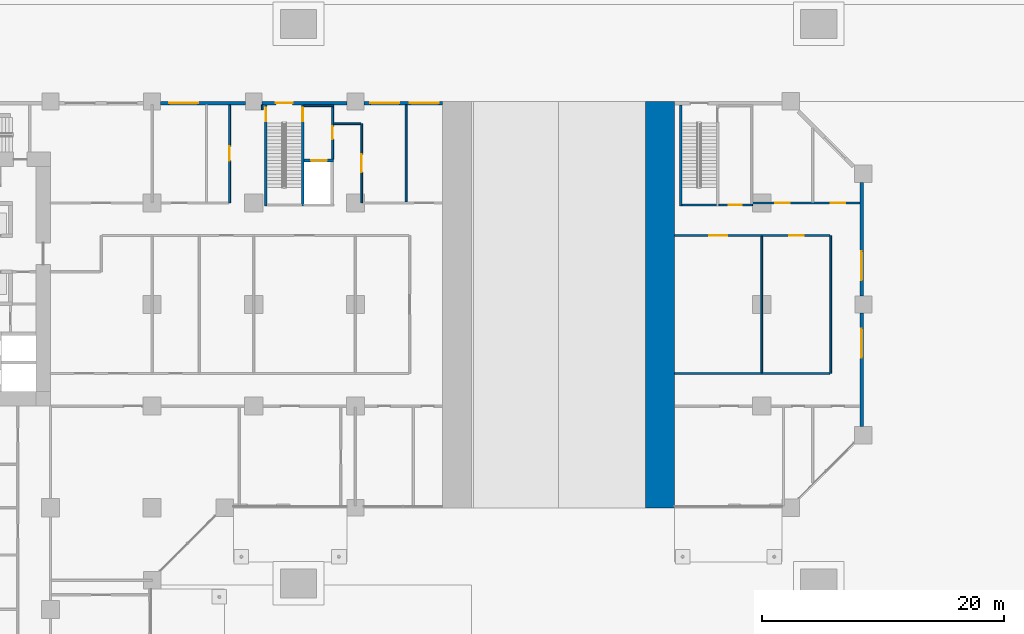
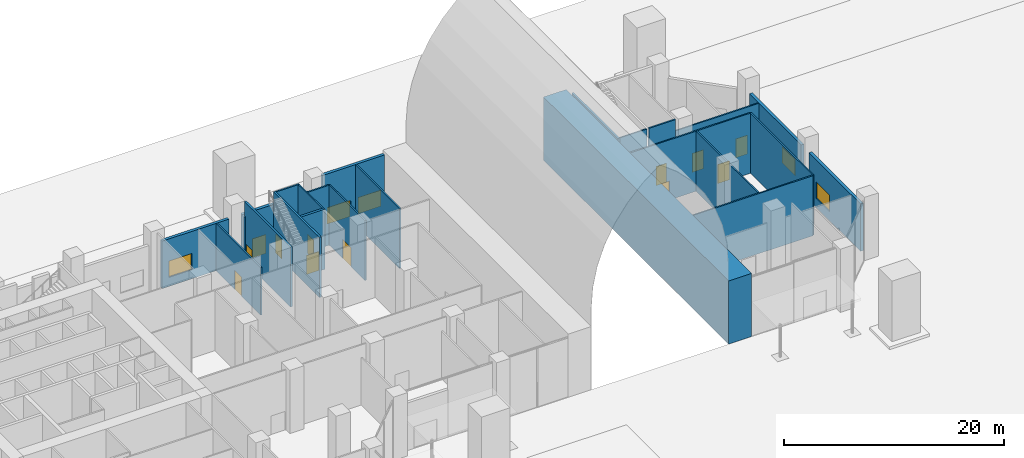
# One storey, part 21 of 32: 24 walls, 12 doors, 5 windows, 17 openings.
"""IFC4 building model written with IfcOpenShell, lengths in metres."""

from ifc_helpers import new_model, si_unit, direction, frame, frame_2d, origin, place, context, subcontext, project, spatial, polyline, rectangle, outline, extrude, material, layer, layer_set, type_object, element, fill, save


model = new_model("IFC4")

# Units and contexts
model_context = context("Model", 3, precision=1e-05, world=origin(), true_north=direction((0.0, 1.0)))
body_context = subcontext(model_context, "Body", "Model", "MODEL_VIEW")
ifc_project = project(units=[si_unit("LENGTHUNIT", "METRE"), si_unit("AREAUNIT", "SQUARE_METRE"), si_unit("VOLUMEUNIT", "CUBIC_METRE"), si_unit("PLANEANGLEUNIT", "RADIAN"), si_unit("MASSUNIT", "GRAM", prefix="KILO")], contexts=[model_context])

# Site, building, storey
site_placement = place(None, origin())
site = spatial("IfcSite", under=ifc_project, at=site_placement, CompositionType="ELEMENT")
building_placement = place(site_placement, origin())
building = spatial("IfcBuilding", under=site, at=building_placement, Name="Kawkab Arch Medical Tower", CompositionType="ELEMENT")
storey_placement = place(building_placement, origin())
storey = spatial("IfcBuildingStorey", under=building, at=storey_placement, Name="L01", CompositionType="ELEMENT", Elevation=0.0)

# Wall
ifc_material_1 = material(Name="Concrete C60/75", Category="concrete")
wall_type_1 = type_object("IfcWallType", Name="Arch wall C60/75", PredefinedType="SHEAR", material=ifc_material_1)
wall_1_placement = place(storey_placement, frame((0.0, 0.0, 0.0), z_axis=(0.0, -1.0, 0.0), x_axis=(1.0, 0.0, 0.0)))
element("IfcWall", 1, at=wall_1_placement, inside=storey, type_object=wall_type_1, Name="Arch wall L01-2", PredefinedType="SHEAR", context=body_context, shape_type="SweptSolid", body=[
    extrude(outline(polyline([(74.39990234375, 0.0), (74.39990234375, 2.25), (74.39990234375, 4.5), (74.39990234375, 6.75), (74.39990234375, 7.0), (76.800048828125, 7.0), (76.800048828125, 0.0), (74.39990234375, 0.0)])), origin(), (0.0, 0.0, 1.0), 33.60009765625),
])

# Wall, opening, door
ifc_material_2 = material(Name="Gypsum board on steel studs", Category="steel")
ifc_layer_1 = layer(ifc_material_2, 0.14990234375)
ifc_layer_set_1 = layer_set([ifc_layer_1], Name="Gypsum board on steel studs")
wall_type_2 = type_object("IfcWallType", Name="Core room partition 150", PredefinedType="PARTITIONING", material=ifc_layer_set_1)
wall_2_placement = place(storey_placement, frame((48.52490234375, -4.77490234375, 0.0), z_axis=(0.0, 0.0, 1.0), x_axis=(0.0, 1.0, 0.0)))
wall_2 = element("IfcWall", 2, at=wall_2_placement, inside=storey, type_object=wall_type_2, Name="L01 core room partition", PredefinedType="PARTITIONING", context=body_context, shape_type="SweptSolid", body=[
    extrude(rectangle(XDim=4.324951171875, YDim=0.14990234375, at=frame_2d((2.16259765625, 0.0))), origin(), (0.0, 0.0, 1.0), 6.64990234375),
])
opening_1_placement = place(wall_2_placement, frame((1.625, 0.0, 0.0)))
opening_1 = element("IfcOpeningElement", 3, at=opening_1_placement, cuts=wall_2, Name="Opening FD", PredefinedType="OPENING", context=body_context, shape_type="SweptSolid", body=[
    extrude(rectangle(XDim=1.10009765625, YDim=2.10009765625, at=frame_2d((0.550048828125, 1.050048828125))), frame((0.0, 0.0849609375, 0.0), z_axis=(0.0, -1.0, 0.0), x_axis=(1.0, 0.0, 0.0)), (0.0, 0.0, 1.0), 0.169921875),
])
ifc_material_3 = material(Name="Hollow metal fire door leaf")
door_type_1 = type_object("IfcDoorType", Name="Firefighting lobby door 1100", OperationType="SINGLE_SWING_LEFT", PredefinedType="DOOR", material=ifc_material_3)
door_1_placement = place(opening_1_placement, origin())
door_1 = element("IfcDoor", 4, at=door_1_placement, inside=storey, type_object=door_type_1, Name="L01 Service lift lobby door SV1", OperationType="SINGLE_SWING_LEFT", OverallHeight=2.10009765625, OverallWidth=1.10009765625, PredefinedType="DOOR", context=body_context, shape_type="SweptSolid", body=[
    extrude(rectangle(XDim=1.10009765625, YDim=2.10009765625, at=frame_2d((0.550048828125, 1.050048828125))), frame((0.0, 0.02490234375, 0.0), z_axis=(0.0, -1.0, 0.0), x_axis=(1.0, 0.0, 0.0)), (0.0, 0.0, 1.0), 0.050048828125),
])
fill(opening_1, door_1)

ifc_material_4 = material(Name="Concrete C60/75", Category="concrete")
ifc_layer_2 = layer(ifc_material_4, 0.25)
ifc_layer_set_2 = layer_set([ifc_layer_2], Name="Concrete C60/75")
wall_type_3 = type_object("IfcWallType", Name="Core shear wall 250 C60/75", PredefinedType="SHEAR", material=ifc_layer_set_2)
wall_3_placement = place(storey_placement, frame((46.14990234375, -4.89990234375, 0.0), z_axis=(0.0, 0.0, 1.0), x_axis=(1.0, 0.0, 0.0)))
wall_3 = element("IfcWall", 5, at=wall_3_placement, inside=storey, type_object=wall_type_3, Name="L01 core shear wall", PredefinedType="SHEAR", context=body_context, shape_type="SweptSolid", body=[
    extrude(rectangle(XDim=2.4501953125, YDim=0.25, at=frame_2d((1.22509765625, 0.0))), origin(), (0.0, 0.0, 1.0), 6.64990234375),
])
opening_2_placement = place(wall_3_placement, frame((0.60009765625, 0.0, 0.0)))
opening_2 = element("IfcOpeningElement", 6, at=opening_2_placement, cuts=wall_3, Name="Opening LD2", PredefinedType="OPENING", context=body_context, shape_type="SweptSolid", body=[
    extrude(rectangle(XDim=1.300048828125, YDim=2.10009765625, at=frame_2d((0.64990234375, 1.050048828125))), frame((0.0, 0.135009765625, 0.0), z_axis=(0.0, -1.0, 0.0), x_axis=(1.0, 0.0, 0.0)), (0.0, 0.0, 1.0), 0.27001953125),
])
ifc_material_5 = material(Name="Stainless steel lift door leaf", Category="steel")
door_type_2 = type_object("IfcDoorType", Name="Lift landing door 1300", OperationType="DOUBLE_DOOR_SLIDING", PredefinedType="DOOR", material=ifc_material_5)
door_2_placement = place(opening_2_placement, origin())
door_2 = element("IfcDoor", 7, at=door_2_placement, inside=storey, type_object=door_type_2, Name="L01 Lift landing door SV1", OperationType="DOUBLE_DOOR_SLIDING", OverallHeight=2.10009765625, OverallWidth=1.300048828125, PredefinedType="DOOR", context=body_context, shape_type="SweptSolid", body=[
    extrude(rectangle(XDim=1.300048828125, YDim=2.10009765625, at=frame_2d((0.64990234375, 1.050048828125))), frame((0.0, 0.02490234375, 0.0), z_axis=(0.0, -1.0, 0.0), x_axis=(1.0, 0.0, 0.0)), (0.0, 0.0, 1.0), 0.050048828125),
])
fill(opening_2, door_2)

# Wall
ifc_material_6 = material(Name="Gypsum board partition on steel studs, mineral wool", Category="steel")
ifc_layer_3 = layer(ifc_material_6, 0.14990234375)
ifc_layer_set_3 = layer_set([ifc_layer_3], Name="Gypsum board partition on steel studs, mineral wool")
wall_type_4 = type_object("IfcWallType", Name="Partition 150", PredefinedType="PARTITIONING", material=ifc_layer_set_3)
wall_4_placement = place(storey_placement, frame((76.800048828125, -22.5, 0.0), z_axis=(0.0, 0.0, 1.0), x_axis=(1.0, 0.0, 0.0)))
element("IfcWall", 8, at=wall_4_placement, inside=storey, type_object=wall_type_4, Name="Partition 150 w031", PredefinedType="PARTITIONING", context=body_context, shape_type="SweptSolid", body=[
    extrude(rectangle(XDim=12.824951171875, YDim=0.14990234375, at=frame_2d((6.41259765625, 0.0))), origin(), (0.0, 0.0, 1.0), 6.64990234375),
])

# Wall, openings, doors
wall_5_placement = place(storey_placement, frame((76.800048828125, -11.10009765625, 0.0), z_axis=(0.0, 0.0, 1.0), x_axis=(1.0, 0.0, 0.0)))
wall_5 = element("IfcWall", 9, at=wall_5_placement, inside=storey, type_object=wall_type_4, Name="Partition 150 w034", PredefinedType="PARTITIONING", context=body_context, shape_type="SweptSolid", body=[
    extrude(rectangle(XDim=12.824951171875, YDim=0.14990234375, at=frame_2d((6.41259765625, 0.0))), origin(), (0.0, 0.0, 1.0), 6.64990234375),
])
opening_3_placement = place(wall_5_placement, frame((2.85009765625, 0.0, 0.0)))
opening_3 = element("IfcOpeningElement", 10, at=opening_3_placement, cuts=wall_5, Name="Opening P01-012", PredefinedType="OPENING", context=body_context, shape_type="SweptSolid", body=[
    extrude(rectangle(XDim=1.5, YDim=2.10009765625, at=frame_2d((0.75, 1.050048828125))), frame((0.0, 0.0849609375, 0.0), z_axis=(0.0, -1.0, 0.0), x_axis=(1.0, 0.0, 0.0)), (0.0, 0.0, 1.0), 0.169921875),
])
opening_4_placement = place(wall_5_placement, frame((9.449951171875, 0.0, 0.0)))
opening_4 = element("IfcOpeningElement", 11, at=opening_4_placement, cuts=wall_5, Name="Opening P01-045", PredefinedType="OPENING", context=body_context, shape_type="SweptSolid", body=[
    extrude(rectangle(XDim=1.199951171875, YDim=2.10009765625, at=frame_2d((0.60009765625, 1.050048828125))), frame((0.0, 0.0849609375, 0.0), z_axis=(0.0, -1.0, 0.0), x_axis=(1.0, 0.0, 0.0)), (0.0, 0.0, 1.0), 0.169921875),
])
ifc_material_7 = material(Name="Hollow metal door leaf")
door_type_3 = type_object("IfcDoorType", Name="Double door 1500x2100 FD30S", OperationType="NOTDEFINED", PredefinedType="DOOR", material=ifc_material_7)
door_3_placement = place(opening_3_placement, origin())
door_3 = element("IfcDoor", 12, at=door_3_placement, inside=storey, type_object=door_type_3, Name="Door P01-012", OperationType="DOUBLE_DOOR_SINGLE_SWING", OverallHeight=2.10009765625, OverallWidth=1.5, PredefinedType="DOOR", context=body_context, shape_type="SweptSolid", body=[
    extrude(rectangle(XDim=1.5, YDim=2.10009765625, at=frame_2d((0.75, 1.050048828125))), frame((0.0, 0.02490234375, 0.0), z_axis=(0.0, -1.0, 0.0), x_axis=(1.0, 0.0, 0.0)), (0.0, 0.0, 1.0), 0.050048828125),
])
fill(opening_3, door_3)
ifc_material_8 = material(Name="Hollow metal door leaf")
door_type_4 = type_object("IfcDoorType", Name="Single door 1200x2100 FD30S", OperationType="NOTDEFINED", PredefinedType="DOOR", material=ifc_material_8)
door_4_placement = place(opening_4_placement, origin())
door_4 = element("IfcDoor", 13, at=door_4_placement, inside=storey, type_object=door_type_4, Name="Door P01-045", OperationType="SINGLE_SWING_LEFT", OverallHeight=2.10009765625, OverallWidth=1.199951171875, PredefinedType="DOOR", context=body_context, shape_type="SweptSolid", body=[
    extrude(rectangle(XDim=1.199951171875, YDim=2.10009765625, at=frame_2d((0.60009765625, 1.050048828125))), frame((0.0, 0.02490234375, 0.0), z_axis=(0.0, -1.0, 0.0), x_axis=(1.0, 0.0, 0.0)), (0.0, 0.0, 1.0), 0.050048828125),
])
fill(opening_4, door_4)

wall_6_placement = place(storey_placement, frame((83.25, -8.39990234375, 0.0), z_axis=(0.0, 0.0, 1.0), x_axis=(1.0, 0.0, 0.0)))
wall_6 = element("IfcWall", 14, at=wall_6_placement, inside=storey, type_object=wall_type_4, Name="Partition 150 w037", PredefinedType="PARTITIONING", context=body_context, shape_type="SweptSolid", body=[
    extrude(rectangle(XDim=8.85009765625, YDim=0.14990234375, at=frame_2d((4.425048828125, 0.0))), origin(), (0.0, 0.0, 1.0), 5.25),
])
opening_5_placement = place(wall_6_placement, frame((1.875, 0.0, 0.0)))
opening_5 = element("IfcOpeningElement", 15, at=opening_5_placement, cuts=wall_6, Name="Opening P01-043", PredefinedType="OPENING", context=body_context, shape_type="SweptSolid", body=[
    extrude(rectangle(XDim=1.199951171875, YDim=2.10009765625, at=frame_2d((0.60009765625, 1.050048828125))), frame((0.0, 0.0849609375, 0.0), z_axis=(0.0, -1.0, 0.0), x_axis=(1.0, 0.0, 0.0)), (0.0, 0.0, 1.0), 0.169921875),
])
opening_6_placement = place(wall_6_placement, frame((6.449951171875, 0.0, 0.0)))
opening_6 = element("IfcOpeningElement", 16, at=opening_6_placement, cuts=wall_6, Name="Opening P01-044", PredefinedType="OPENING", context=body_context, shape_type="SweptSolid", body=[
    extrude(rectangle(XDim=1.199951171875, YDim=2.10009765625, at=frame_2d((0.60009765625, 1.050048828125))), frame((0.0, 0.0849609375, 0.0), z_axis=(0.0, -1.0, 0.0), x_axis=(1.0, 0.0, 0.0)), (0.0, 0.0, 1.0), 0.169921875),
])
door_5_placement = place(opening_5_placement, origin())
door_5 = element("IfcDoor", 17, at=door_5_placement, inside=storey, type_object=door_type_4, Name="Door P01-043", OperationType="SINGLE_SWING_LEFT", OverallHeight=2.10009765625, OverallWidth=1.199951171875, PredefinedType="DOOR", context=body_context, shape_type="SweptSolid", body=[
    extrude(rectangle(XDim=1.199951171875, YDim=2.10009765625, at=frame_2d((0.60009765625, 1.050048828125))), frame((0.0, 0.02490234375, 0.0), z_axis=(0.0, -1.0, 0.0), x_axis=(1.0, 0.0, 0.0)), (0.0, 0.0, 1.0), 0.050048828125),
])
fill(opening_5, door_5)
door_6_placement = place(opening_6_placement, origin())
door_6 = element("IfcDoor", 18, at=door_6_placement, inside=storey, type_object=door_type_4, Name="Door P01-044", OperationType="SINGLE_SWING_RIGHT", OverallHeight=2.10009765625, OverallWidth=1.199951171875, PredefinedType="DOOR", context=body_context, shape_type="SweptSolid", body=[
    extrude(rectangle(XDim=1.199951171875, YDim=2.10009765625, at=frame_2d((0.60009765625, 1.050048828125))), frame((0.0, 0.02490234375, 0.0), z_axis=(0.0, -1.0, 0.0), x_axis=(1.0, 0.0, 0.0)), (0.0, 0.0, 1.0), 0.050048828125),
])
fill(opening_6, door_6)

# Wall
wall_7_placement = place(storey_placement, frame((48.60009765625, -1.85009765625, 0.0), z_axis=(0.0, 0.0, 1.0), x_axis=(1.0, 0.0, 0.0)))
element("IfcWall", 19, at=wall_7_placement, inside=storey, type_object=wall_type_4, Name="Partition 150 w038", PredefinedType="PARTITIONING", context=body_context, shape_type="SweptSolid", body=[
    extrude(rectangle(XDim=2.247802734375, YDim=0.14990234375, at=frame_2d((1.1240234375, 0.0))), origin(), (0.0, 0.0, 1.0), 6.64990234375),
])

# Wall, opening, door
wall_8_placement = place(storey_placement, frame((40.007080078125, -8.39990234375, 0.0), z_axis=(0.0, 0.0, 1.0), x_axis=(0.0, 1.0, 0.0)))
wall_8 = element("IfcWall", 20, at=wall_8_placement, inside=storey, type_object=wall_type_4, Name="Partition 150 w056", PredefinedType="PARTITIONING", context=body_context, shape_type="SweptSolid", body=[
    extrude(rectangle(XDim=8.099853515625, YDim=0.14990234375, at=frame_2d((4.0498046875, 0.0))), origin(), (0.0, 0.0, 1.0), 5.25),
])
opening_7_placement = place(wall_8_placement, frame((3.5, 0.0, 0.0)))
opening_7 = element("IfcOpeningElement", 21, at=opening_7_placement, cuts=wall_8, Name="Opening P01-042", PredefinedType="OPENING", context=body_context, shape_type="SweptSolid", body=[
    extrude(rectangle(XDim=1.199951171875, YDim=2.10009765625, at=frame_2d((0.60009765625, 1.050048828125))), frame((0.0, 0.0849609375, 0.0), z_axis=(0.0, -1.0, 0.0), x_axis=(1.0, 0.0, 0.0)), (0.0, 0.0, 1.0), 0.169921875),
])
door_7_placement = place(opening_7_placement, origin())
door_7 = element("IfcDoor", 22, at=door_7_placement, inside=storey, type_object=door_type_4, Name="Door P01-042", OperationType="SINGLE_SWING_LEFT", OverallHeight=2.10009765625, OverallWidth=1.199951171875, PredefinedType="DOOR", context=body_context, shape_type="SweptSolid", body=[
    extrude(rectangle(XDim=1.199951171875, YDim=2.10009765625, at=frame_2d((0.60009765625, 1.050048828125))), frame((0.0, 0.02490234375, 0.0), z_axis=(0.0, -1.0, 0.0), x_axis=(1.0, 0.0, 0.0)), (0.0, 0.0, 1.0), 0.050048828125),
])
fill(opening_7, door_7)

# Wall
wall_9_placement = place(storey_placement, frame((42.699951171875, -0.699951171875, 0.0), z_axis=(0.0, 0.0, 1.0), x_axis=(0.0, 1.0, 0.0)))
element("IfcWall", 23, at=wall_9_placement, inside=storey, type_object=wall_type_4, Name="Partition 150 w059", PredefinedType="PARTITIONING", context=body_context, shape_type="SweptSolid", body=[
    extrude(rectangle(XDim=0.39990234375, YDim=0.14990234375, at=frame_2d((0.199951171875, 0.0))), origin(), (0.0, 0.0, 1.0), 5.25),
])

# Wall, opening, door
wall_10_placement = place(storey_placement, frame((50.925048828125, -8.39990234375, 0.0), z_axis=(0.0, 0.0, 1.0), x_axis=(0.0, 1.0, 0.0)))
wall_10 = element("IfcWall", 24, at=wall_10_placement, inside=storey, type_object=wall_type_4, Name="Partition 150 w063", PredefinedType="PARTITIONING", context=body_context, shape_type="SweptSolid", body=[
    extrude(rectangle(XDim=6.5478515625, YDim=0.14990234375, at=frame_2d((3.27392578125, 0.0))), origin(), (0.0, 0.0, 1.0), 6.64990234375),
])
opening_8_placement = place(wall_10_placement, frame((2.52392578125, 0.0, 0.0)))
opening_8 = element("IfcOpeningElement", 25, at=opening_8_placement, cuts=wall_10, Name="Opening P01-006", PredefinedType="OPENING", context=body_context, shape_type="SweptSolid", body=[
    extrude(rectangle(XDim=1.5, YDim=2.10009765625, at=frame_2d((0.75, 1.050048828125))), frame((0.0, 0.0849609375, 0.0), z_axis=(0.0, -1.0, 0.0), x_axis=(1.0, 0.0, 0.0)), (0.0, 0.0, 1.0), 0.169921875),
])
door_8_placement = place(opening_8_placement, origin())
door_8 = element("IfcDoor", 26, at=door_8_placement, inside=storey, type_object=door_type_3, Name="Door P01-006", OperationType="DOUBLE_DOOR_SINGLE_SWING", OverallHeight=2.10009765625, OverallWidth=1.5, PredefinedType="DOOR", context=body_context, shape_type="SweptSolid", body=[
    extrude(rectangle(XDim=1.5, YDim=2.10009765625, at=frame_2d((0.75, 1.050048828125))), frame((0.0, 0.02490234375, 0.0), z_axis=(0.0, -1.0, 0.0), x_axis=(1.0, 0.0, 0.0)), (0.0, 0.0, 1.0), 0.050048828125),
])
fill(opening_8, door_8)

# Walls
wall_11_placement = place(storey_placement, frame((54.60009765625, -8.324951171875, 0.0), z_axis=(0.0, 0.0, 1.0), x_axis=(0.0, 1.0, 0.0)))
element("IfcWall", 27, at=wall_11_placement, inside=storey, type_object=wall_type_4, Name="Partition 150 w064", PredefinedType="PARTITIONING", context=body_context, shape_type="SweptSolid", body=[
    extrude(rectangle(XDim=8.02490234375, YDim=0.14990234375, at=frame_2d((4.012451171875, 0.0))), origin(), (0.0, 0.0, 1.0), 6.64990234375),
])
wall_12_placement = place(storey_placement, frame((84.0, -22.425048828125, 0.0), z_axis=(0.0, 0.0, 1.0), x_axis=(0.0, 1.0, 0.0)))
element("IfcWall", 28, at=wall_12_placement, inside=storey, type_object=wall_type_4, Name="Partition 150 w067", PredefinedType="PARTITIONING", context=body_context, shape_type="SweptSolid", body=[
    extrude(rectangle(XDim=11.25, YDim=0.14990234375, at=frame_2d((5.625, 0.0))), origin(), (0.0, 0.0, 1.0), 6.64990234375),
])
wall_13_placement = place(storey_placement, frame((89.699951171875, -22.5, 0.0), z_axis=(0.0, 0.0, 1.0), x_axis=(0.0, 1.0, 0.0)))
element("IfcWall", 29, at=wall_13_placement, inside=storey, type_object=wall_type_4, Name="Partition 150 w071", PredefinedType="PARTITIONING", context=body_context, shape_type="SweptSolid", body=[
    extrude(rectangle(XDim=11.39990234375, YDim=0.14990234375, at=frame_2d((5.699951171875, 0.0))), origin(), (0.0, 0.0, 1.0), 6.64990234375),
])

# Wall, openings, windows
ifc_material_9 = material(Name="Bronze clad insulated wall panel")
ifc_layer_4 = layer(ifc_material_9, 0.300048828125)
ifc_layer_set_4 = layer_set([ifc_layer_4], Name="Bronze clad insulated wall panel")
wall_type_5 = type_object("IfcWallType", Name="Podium external wall 300", PredefinedType="SOLIDWALL", material=ifc_layer_set_4)
wall_14_placement = place(storey_placement, frame((57.60009765625, -0.14990234375, 0.0), z_axis=(0.0, 0.0, 1.0), x_axis=(-1.0, 0.0, 0.0)))
wall_14 = element("IfcWall", 30, at=wall_14_placement, inside=storey, type_object=wall_type_5, Name="External wall L01 R06.1", PredefinedType="SOLIDWALL", context=body_context, shape_type="SweptSolid", body=[
    extrude(rectangle(XDim=6.5, YDim=0.300048828125, at=frame_2d((3.25, 0.0))), origin(), (0.0, 0.0, 1.0), 6.64990234375),
])
opening_9_placement = place(wall_14_placement, frame((0.300048828125, 0.0, 1.0)))
opening_9 = element("IfcOpeningElement", 31, at=opening_9_placement, cuts=wall_14, Name="Opening PWN240-18-S10", PredefinedType="OPENING", context=body_context, shape_type="SweptSolid", body=[
    extrude(rectangle(XDim=2.39990234375, YDim=1.800048828125, at=frame_2d((1.199951171875, 0.89990234375))), frame((0.0, 0.159912109375, 0.0), z_axis=(0.0, -1.0, 0.0), x_axis=(1.0, 0.0, 0.0)), (0.0, 0.0, 1.0), 0.320068359375),
])
opening_10_placement = place(wall_14_placement, frame((3.550048828125, 0.0, 1.0)))
opening_10 = element("IfcOpeningElement", 32, at=opening_10_placement, cuts=wall_14, Name="Opening PWN240-18-S10", PredefinedType="OPENING", context=body_context, shape_type="SweptSolid", body=[
    extrude(rectangle(XDim=2.39990234375, YDim=1.800048828125, at=frame_2d((1.199951171875, 0.89990234375))), frame((0.0, 0.159912109375, 0.0), z_axis=(0.0, -1.0, 0.0), x_axis=(1.0, 0.0, 0.0)), (0.0, 0.0, 1.0), 0.320068359375),
])
ifc_material_10 = material(Name="Bronze anodised aluminium louvred window", Category="aluminium")
window_type = type_object("IfcWindowType", Name="Podium window 2400 x 1800 sill 1000", PartitioningType="DOUBLE_PANEL_VERTICAL", PredefinedType="WINDOW", material=ifc_material_10)
window_1_placement = place(opening_9_placement, origin())
window_1 = element("IfcWindow", 33, at=window_1_placement, inside=storey, type_object=window_type, Name="Window L01 R06.1.1", OverallHeight=1.800048828125, OverallWidth=2.39990234375, PartitioningType="SINGLE_PANEL", PredefinedType="WINDOW", context=body_context, shape_type="SweptSolid", body=[
    extrude(rectangle(XDim=2.39990234375, YDim=1.800048828125, at=frame_2d((1.199951171875, 0.89990234375))), frame((0.0, 0.030029296875, 0.0), z_axis=(0.0, -1.0, 0.0), x_axis=(1.0, 0.0, 0.0)), (0.0, 0.0, 1.0), 0.06005859375),
])
fill(opening_9, window_1)
window_2_placement = place(opening_10_placement, origin())
window_2 = element("IfcWindow", 34, at=window_2_placement, inside=storey, type_object=window_type, Name="Window L01 R06.1.2", OverallHeight=1.800048828125, OverallWidth=2.39990234375, PartitioningType="SINGLE_PANEL", PredefinedType="WINDOW", context=body_context, shape_type="SweptSolid", body=[
    extrude(rectangle(XDim=2.39990234375, YDim=1.800048828125, at=frame_2d((1.199951171875, 0.89990234375))), frame((0.0, 0.030029296875, 0.0), z_axis=(0.0, -1.0, 0.0), x_axis=(1.0, 0.0, 0.0)), (0.0, 0.0, 1.0), 0.06005859375),
])
fill(opening_10, window_2)

# Wall, opening, door
wall_15_placement = place(storey_placement, frame((49.699951171875, -0.14990234375, 0.0), z_axis=(0.0, 0.0, 1.0), x_axis=(-1.0, 0.0, 0.0)))
wall_15 = element("IfcWall", 35, at=wall_15_placement, inside=storey, type_object=wall_type_5, Name="External wall L01 R06.2", PredefinedType="SOLIDWALL", context=body_context, shape_type="SweptSolid", body=[
    extrude(rectangle(XDim=7.0, YDim=0.300048828125, at=frame_2d((3.5, 0.0))), origin(), (0.0, 0.0, 1.0), 5.25),
])
opening_11_placement = place(wall_15_placement, frame((4.47509765625, 0.0, 0.0)))
opening_11 = element("IfcOpeningElement", 36, at=opening_11_placement, cuts=wall_15, Name="Opening P01-504", PredefinedType="OPENING", context=body_context, shape_type="SweptSolid", body=[
    extrude(rectangle(XDim=1.39990234375, YDim=2.10009765625, at=frame_2d((0.699951171875, 1.050048828125))), frame((0.0, 0.159912109375, 0.0), z_axis=(0.0, -1.0, 0.0), x_axis=(1.0, 0.0, 0.0)), (0.0, 0.0, 1.0), 0.320068359375),
])
ifc_material_11 = material(Name="Insulated steel door", Category="steel")
door_type_5 = type_object("IfcDoorType", Name="Stair discharge door 1400 x 2100", OperationType="DOUBLE_DOOR_SINGLE_SWING", PredefinedType="DOOR", material=ifc_material_11)
door_9_placement = place(opening_11_placement, frame((1.39990234375, 0.0, 0.0), z_axis=(0.0, 0.0, 1.0), x_axis=(-1.0, 0.0, 0.0)))
door_9 = element("IfcDoor", 37, at=door_9_placement, inside=storey, type_object=door_type_5, Name="Exit stair ST5 discharge", OperationType="DOUBLE_DOOR_SINGLE_SWING", OverallHeight=2.10009765625, OverallWidth=1.39990234375, PredefinedType="DOOR", context=body_context, shape_type="SweptSolid", body=[
    extrude(rectangle(XDim=1.39990234375, YDim=2.10009765625, at=frame_2d((0.699951171875, 1.050048828125))), frame((0.0, 0.02490234375, 0.0), z_axis=(0.0, -1.0, 0.0), x_axis=(1.0, 0.0, 0.0)), (0.0, 0.0, 1.0), 0.050048828125),
])
fill(opening_11, door_9)

# Wall, opening, window
wall_16_placement = place(storey_placement, frame((41.300048828125, -0.14990234375, 0.0), z_axis=(0.0, 0.0, 1.0), x_axis=(-1.0, 0.0, 0.0)))
wall_16 = element("IfcWall", 38, at=wall_16_placement, inside=storey, type_object=wall_type_5, Name="External wall L01 R06.3", PredefinedType="SOLIDWALL", context=body_context, shape_type="SweptSolid", body=[
    extrude(rectangle(XDim=7.0, YDim=0.300048828125, at=frame_2d((3.5, 0.0))), origin(), (0.0, 0.0, 1.0), 5.25),
])
opening_12_placement = place(wall_16_placement, frame((3.89990234375, 0.0, 1.0)))
opening_12 = element("IfcOpeningElement", 39, at=opening_12_placement, cuts=wall_16, Name="Opening PWN240-18-S10", PredefinedType="OPENING", context=body_context, shape_type="SweptSolid", body=[
    extrude(rectangle(XDim=2.39990234375, YDim=1.800048828125, at=frame_2d((1.199951171875, 0.89990234375))), frame((0.0, 0.159912109375, 0.0), z_axis=(0.0, -1.0, 0.0), x_axis=(1.0, 0.0, 0.0)), (0.0, 0.0, 1.0), 0.320068359375),
])
window_3_placement = place(opening_12_placement, origin())
window_3 = element("IfcWindow", 40, at=window_3_placement, inside=storey, type_object=window_type, Name="Window L01 R06.3.1", OverallHeight=1.800048828125, OverallWidth=2.39990234375, PartitioningType="SINGLE_PANEL", PredefinedType="WINDOW", context=body_context, shape_type="SweptSolid", body=[
    extrude(rectangle(XDim=2.39990234375, YDim=1.800048828125, at=frame_2d((1.199951171875, 0.89990234375))), frame((0.0, 0.030029296875, 0.0), z_axis=(0.0, -1.0, 0.0), x_axis=(1.0, 0.0, 0.0)), (0.0, 0.0, 1.0), 0.06005859375),
])
fill(opening_12, window_3)

wall_17_placement = place(storey_placement, frame((92.25, -26.875, 0.0), z_axis=(0.0, 0.0, 1.0), x_axis=(0.0, 1.0, 0.0)))
wall_17 = element("IfcWall", 41, at=wall_17_placement, inside=storey, type_object=wall_type_5, Name="External wall L01 R15.1", PredefinedType="SOLIDWALL", context=body_context, shape_type="SweptSolid", body=[
    extrude(rectangle(XDim=9.375, YDim=0.300048828125, at=frame_2d((4.6875, 0.0))), origin(), (0.0, 0.0, 1.0), 5.25),
])
opening_13_placement = place(wall_17_placement, frame((5.675048828125, 0.0, 1.0)))
opening_13 = element("IfcOpeningElement", 42, at=opening_13_placement, cuts=wall_17, Name="Opening PWN240-18-S10", PredefinedType="OPENING", context=body_context, shape_type="SweptSolid", body=[
    extrude(rectangle(XDim=2.39990234375, YDim=1.800048828125, at=frame_2d((1.199951171875, 0.89990234375))), frame((0.0, 0.159912109375, 0.0), z_axis=(0.0, -1.0, 0.0), x_axis=(1.0, 0.0, 0.0)), (0.0, 0.0, 1.0), 0.320068359375),
])
window_4_placement = place(opening_13_placement, origin())
window_4 = element("IfcWindow", 43, at=window_4_placement, inside=storey, type_object=window_type, Name="Window L01 R15.1.1", OverallHeight=1.800048828125, OverallWidth=2.39990234375, PartitioningType="SINGLE_PANEL", PredefinedType="WINDOW", context=body_context, shape_type="SweptSolid", body=[
    extrude(rectangle(XDim=2.39990234375, YDim=1.800048828125, at=frame_2d((1.199951171875, 0.89990234375))), frame((0.0, 0.030029296875, 0.0), z_axis=(0.0, -1.0, 0.0), x_axis=(1.0, 0.0, 0.0)), (0.0, 0.0, 1.0), 0.06005859375),
])
fill(opening_13, window_4)

wall_18_placement = place(storey_placement, frame((92.25, -16.10009765625, 0.0), z_axis=(0.0, 0.0, 1.0), x_axis=(0.0, 1.0, 0.0)))
wall_18 = element("IfcWall", 44, at=wall_18_placement, inside=storey, type_object=wall_type_5, Name="External wall L01 R15.2", PredefinedType="SOLIDWALL", context=body_context, shape_type="SweptSolid", body=[
    extrude(rectangle(XDim=9.375, YDim=0.300048828125, at=frame_2d((4.6875, 0.0))), origin(), (0.0, 0.0, 1.0), 5.25),
])
opening_14_placement = place(wall_18_placement, frame((1.300048828125, 0.0, 1.0)))
opening_14 = element("IfcOpeningElement", 45, at=opening_14_placement, cuts=wall_18, Name="Opening PWN240-18-S10", PredefinedType="OPENING", context=body_context, shape_type="SweptSolid", body=[
    extrude(rectangle(XDim=2.39990234375, YDim=1.800048828125, at=frame_2d((1.199951171875, 0.89990234375))), frame((0.0, 0.159912109375, 0.0), z_axis=(0.0, -1.0, 0.0), x_axis=(1.0, 0.0, 0.0)), (0.0, 0.0, 1.0), 0.320068359375),
])
window_5_placement = place(opening_14_placement, origin())
window_5 = element("IfcWindow", 46, at=window_5_placement, inside=storey, type_object=window_type, Name="Window L01 R15.2.1", OverallHeight=1.800048828125, OverallWidth=2.39990234375, PartitioningType="SINGLE_PANEL", PredefinedType="WINDOW", context=body_context, shape_type="SweptSolid", body=[
    extrude(rectangle(XDim=2.39990234375, YDim=1.800048828125, at=frame_2d((1.199951171875, 0.89990234375))), frame((0.0, 0.030029296875, 0.0), z_axis=(0.0, -1.0, 0.0), x_axis=(1.0, 0.0, 0.0)), (0.0, 0.0, 1.0), 0.06005859375),
])
fill(opening_14, window_5)

# Walls
ifc_material_12 = material(Name="Concrete C50/60", Category="concrete")
ifc_layer_5 = layer(ifc_material_12, 0.14990234375)
ifc_layer_set_5 = layer_set([ifc_layer_5], Name="Concrete C50/60")
wall_type_6 = type_object("IfcWallType", Name="Stair enclosure wall 150 C50/60", PredefinedType="SHEAR", material=ifc_layer_set_5)
wall_19_placement = place(storey_placement, frame((46.14990234375, -0.375, 0.0), z_axis=(0.0, 0.0, 1.0), x_axis=(1.0, 0.0, 0.0)))
element("IfcWall", 47, at=wall_19_placement, inside=storey, type_object=wall_type_6, Name="L01 stair enclosure wall", PredefinedType="SHEAR", context=body_context, shape_type="SweptSolid", body=[
    extrude(rectangle(XDim=2.4501953125, YDim=0.14990234375, at=frame_2d((1.22509765625, 0.0))), origin(), (0.0, 0.0, 1.0), 6.64990234375),
])
wall_20_placement = place(storey_placement, frame((77.39990234375, -8.574951171875, 0.0), z_axis=(0.0, 0.0, 1.0), x_axis=(1.0, 0.0, 0.0)))
element("IfcWall", 48, at=wall_20_placement, inside=storey, type_object=wall_type_6, Name="L01 stair enclosure wall", PredefinedType="SHEAR", context=body_context, shape_type="SweptSolid", body=[
    extrude(rectangle(XDim=2.85009765625, YDim=0.14990234375, at=frame_2d((1.425048828125, 0.0))), origin(), (0.0, 0.0, 1.0), 6.64990234375),
])

# Wall, opening, door
wall_21_placement = place(storey_placement, frame((80.449951171875, -8.574951171875, 0.0), z_axis=(0.0, 0.0, 1.0), x_axis=(1.0, 0.0, 0.0)))
wall_21 = element("IfcWall", 49, at=wall_21_placement, inside=storey, type_object=wall_type_6, Name="L01 stair enclosure wall", PredefinedType="SHEAR", context=body_context, shape_type="SweptSolid", body=[
    extrude(rectangle(XDim=2.800048828125, YDim=0.14990234375, at=frame_2d((1.39990234375, 0.0))), origin(), (0.0, 0.0, 1.0), 6.64990234375),
])
opening_15_placement = place(wall_21_placement, frame((0.800048828125, 0.0, 0.0)))
opening_15 = element("IfcOpeningElement", 50, at=opening_15_placement, cuts=wall_21, Name="Opening SD", PredefinedType="OPENING", context=body_context, shape_type="SweptSolid", body=[
    extrude(rectangle(XDim=1.10009765625, YDim=2.10009765625, at=frame_2d((0.550048828125, 1.050048828125))), frame((0.0, 0.0849609375, 0.0), z_axis=(0.0, -1.0, 0.0), x_axis=(1.0, 0.0, 0.0)), (0.0, 0.0, 1.0), 0.169921875),
])
ifc_material_13 = material(Name="Hollow metal fire door leaf")
door_type_6 = type_object("IfcDoorType", Name="Exit stair door 1100", OperationType="SINGLE_SWING_LEFT", PredefinedType="DOOR", material=ifc_material_13)
door_10_placement = place(opening_15_placement, origin())
door_10 = element("IfcDoor", 51, at=door_10_placement, inside=storey, type_object=door_type_6, Name="L01 Exit stair ST7 lobby door", OperationType="SINGLE_SWING_LEFT", OverallHeight=2.10009765625, OverallWidth=1.10009765625, PredefinedType="DOOR", context=body_context, shape_type="SweptSolid", body=[
    extrude(rectangle(XDim=1.10009765625, YDim=2.10009765625, at=frame_2d((0.550048828125, 1.050048828125))), frame((0.0, 0.02490234375, 0.0), z_axis=(0.0, -1.0, 0.0), x_axis=(1.0, 0.0, 0.0)), (0.0, 0.0, 1.0), 0.050048828125),
])
fill(opening_15, door_10)

ifc_material_14 = material(Name="Concrete C50/60", Category="concrete")
ifc_layer_6 = layer(ifc_material_14, 0.199951171875)
ifc_layer_set_6 = layer_set([ifc_layer_6], Name="Concrete C50/60")
wall_type_7 = type_object("IfcWallType", Name="Stair enclosure wall 200 C50/60", PredefinedType="SHEAR", material=ifc_layer_set_6)
wall_22_placement = place(storey_placement, frame((43.0, -8.64990234375, 0.0), z_axis=(0.0, 0.0, 1.0), x_axis=(0.0, 1.0, 0.0)))
wall_22 = element("IfcWall", 52, at=wall_22_placement, inside=storey, type_object=wall_type_7, Name="L01 stair enclosure wall", PredefinedType="SHEAR", context=body_context, shape_type="SweptSolid", body=[
    extrude(rectangle(XDim=8.349853515625, YDim=0.199951171875, at=frame_2d((4.1748046875, 0.0))), origin(), (0.0, 0.0, 1.0), 6.64990234375),
])
opening_16_placement = place(wall_22_placement, frame((7.0, 0.0, 0.0)))
opening_16 = element("IfcOpeningElement", 53, at=opening_16_placement, cuts=wall_22, Name="Opening SD", PredefinedType="OPENING", context=body_context, shape_type="SweptSolid", body=[
    extrude(rectangle(XDim=1.10009765625, YDim=2.10009765625, at=frame_2d((0.550048828125, 1.050048828125))), frame((0.0, 0.10986328125, 0.0), z_axis=(0.0, -1.0, 0.0), x_axis=(1.0, 0.0, 0.0)), (0.0, 0.0, 1.0), 0.219970703125),
])
door_11_placement = place(opening_16_placement, frame((1.10009765625, 0.0, 0.0), z_axis=(0.0, 0.0, 1.0), x_axis=(-1.0, 0.0, 0.0)))
door_11 = element("IfcDoor", 54, at=door_11_placement, inside=storey, type_object=door_type_6, Name="L01 Exit stair ST5 door", OperationType="SINGLE_SWING_LEFT", OverallHeight=2.10009765625, OverallWidth=1.10009765625, PredefinedType="DOOR", context=body_context, shape_type="SweptSolid", body=[
    extrude(rectangle(XDim=1.10009765625, YDim=2.10009765625, at=frame_2d((0.550048828125, 1.050048828125))), frame((0.0, 0.02490234375, 0.0), z_axis=(0.0, -1.0, 0.0), x_axis=(1.0, 0.0, 0.0)), (0.0, 0.0, 1.0), 0.050048828125),
])
fill(opening_16, door_11)

wall_23_placement = place(storey_placement, frame((46.050048828125, -8.64990234375, 0.0), z_axis=(0.0, 0.0, 1.0), x_axis=(0.0, 1.0, 0.0)))
wall_23 = element("IfcWall", 55, at=wall_23_placement, inside=storey, type_object=wall_type_7, Name="L01 stair enclosure wall", PredefinedType="SHEAR", context=body_context, shape_type="SweptSolid", body=[
    extrude(rectangle(XDim=8.349853515625, YDim=0.199951171875, at=frame_2d((4.1748046875, 0.0))), origin(), (0.0, 0.0, 1.0), 6.64990234375),
])
opening_17_placement = place(wall_23_placement, frame((7.0, 0.0, 0.0)))
opening_17 = element("IfcOpeningElement", 56, at=opening_17_placement, cuts=wall_23, Name="Opening SD", PredefinedType="OPENING", context=body_context, shape_type="SweptSolid", body=[
    extrude(rectangle(XDim=1.10009765625, YDim=2.10009765625, at=frame_2d((0.550048828125, 1.050048828125))), frame((0.0, 0.10986328125, 0.0), z_axis=(0.0, -1.0, 0.0), x_axis=(1.0, 0.0, 0.0)), (0.0, 0.0, 1.0), 0.219970703125),
])
door_12_placement = place(opening_17_placement, origin())
door_12 = element("IfcDoor", 57, at=door_12_placement, inside=storey, type_object=door_type_6, Name="L01 Exit stair ST5 lobby door", OperationType="SINGLE_SWING_LEFT", OverallHeight=2.10009765625, OverallWidth=1.10009765625, PredefinedType="DOOR", context=body_context, shape_type="SweptSolid", body=[
    extrude(rectangle(XDim=1.10009765625, YDim=2.10009765625, at=frame_2d((0.550048828125, 1.050048828125))), frame((0.0, 0.02490234375, 0.0), z_axis=(0.0, -1.0, 0.0), x_axis=(1.0, 0.0, 0.0)), (0.0, 0.0, 1.0), 0.050048828125),
])
fill(opening_17, door_12)

# Wall
wall_24_placement = place(storey_placement, frame((77.300048828125, -8.64990234375, 0.0), z_axis=(0.0, 0.0, 1.0), x_axis=(0.0, 1.0, 0.0)))
element("IfcWall", 58, at=wall_24_placement, inside=storey, type_object=wall_type_7, Name="L01 stair enclosure wall", PredefinedType="SHEAR", context=body_context, shape_type="SweptSolid", body=[
    extrude(rectangle(XDim=8.349853515625, YDim=0.199951171875, at=frame_2d((4.1748046875, 0.0))), origin(), (0.0, 0.0, 1.0), 6.64990234375),
])

save(model, "model.ifc")
